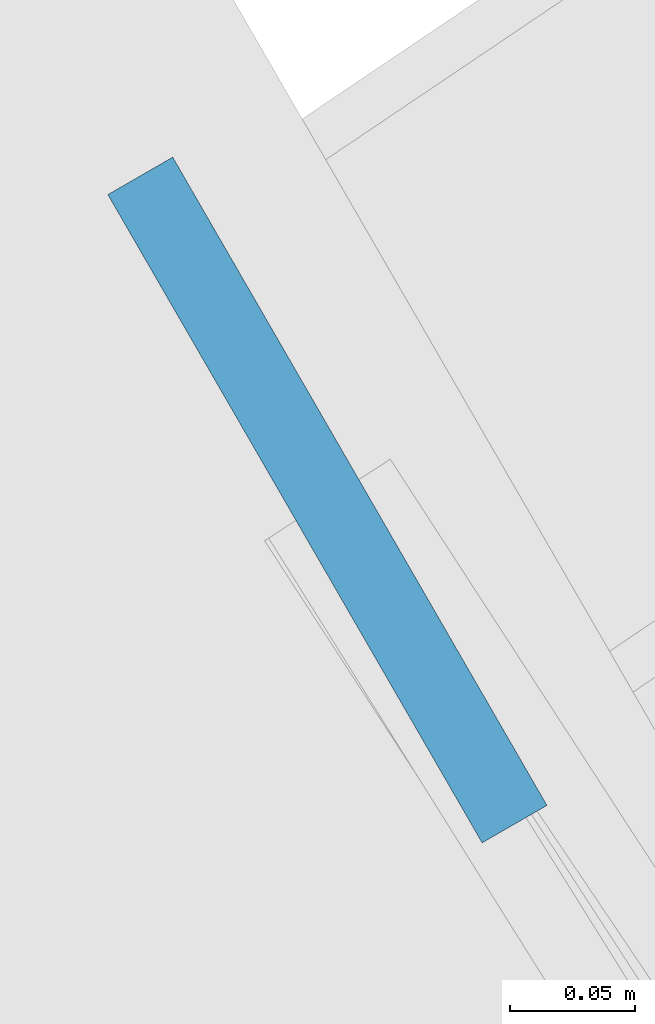
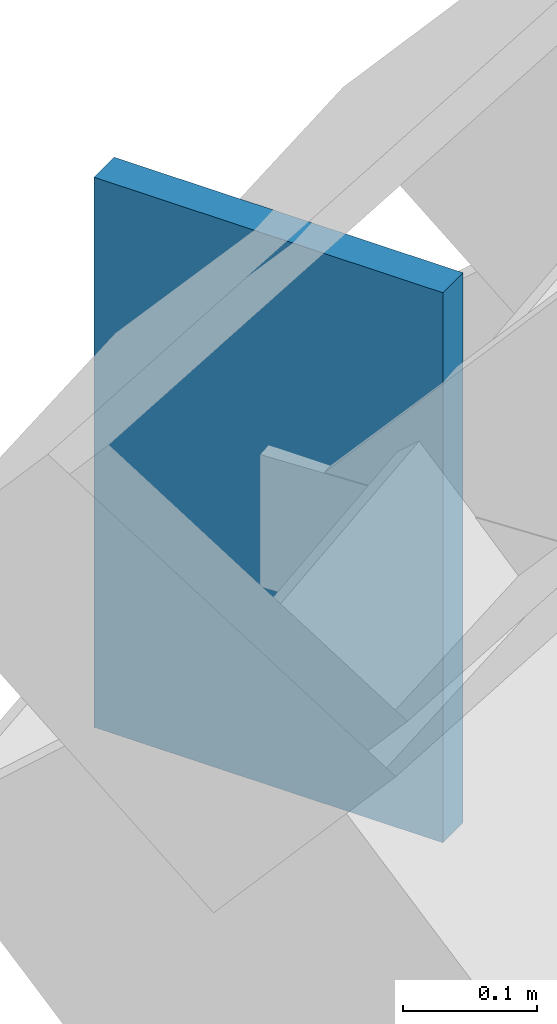
# One storey, part 36 of 37: 1 discrete accessory.
"""IFC4 building model written with IfcOpenShell, lengths in metres."""

from ifc_helpers import new_model, si_unit, direction, frame, origin, origin_2d, place, context, subcontext, project, spatial, rectangle, extrude, material, layer, layer_set, type_object, element, save


model = new_model("IFC4")

# Units and contexts
model_context = context("Model", 3, precision=1e-05, world=origin(), true_north=direction((0.0, 1.0)))
body_context = subcontext(model_context, "Body", "Model", "MODEL_VIEW")
ifc_project = project(units=[si_unit("LENGTHUNIT", "METRE"), si_unit("AREAUNIT", "SQUARE_METRE"), si_unit("VOLUMEUNIT", "CUBIC_METRE"), si_unit("PLANEANGLEUNIT", "RADIAN"), si_unit("MASSUNIT", "GRAM", prefix="KILO")], contexts=[model_context])

# Site, building, storey
site_placement = place(None, origin())
site = spatial("IfcSite", under=ifc_project, at=site_placement, CompositionType="ELEMENT")
building_placement = place(site_placement, origin())
building = spatial("IfcBuilding", under=site, at=building_placement, Name="Ostrander Bayou Hotel Tower", CompositionType="ELEMENT")
storey_placement = place(building_placement, frame((0.0, 0.0, 198.25)))
storey = spatial("IfcBuildingStorey", under=building, at=storey_placement, Name="L49", CompositionType="ELEMENT", Elevation=198.25)

# Discrete accessory
ifc_material = material(Name="Steel ASTM A572 Gr 50", Category="steel")
ifc_layer = layer(ifc_material, 0.030029296875)
ifc_layer_set = layer_set([ifc_layer], Name="GP1 gusset plate 30 mm")
discrete_accessory_type = type_object("IfcDiscreteAccessoryType", Name="GP1 gusset plate 30 mm", PredefinedType="BRACKET", material=ifc_layer_set)
discrete_accessory_placement = place(storey_placement, frame((17.85400390625, 4.64208984375, 4.77490234375), z_axis=(0.0, 0.0, 1.0), x_axis=(-0.5, 0.866025403784, 0.0)))
element("IfcDiscreteAccessory", 1, at=discrete_accessory_placement, inside=storey, type_object=discrete_accessory_type, Name="GP1 gusset plate lat 315", PredefinedType="BRACKET", context=body_context, shape_type="SweptSolid", body=[
    extrude(rectangle(XDim=0.300048828125, YDim=0.030029296875, at=origin_2d()), origin(), (0.0, 0.0, 1.0), 0.5),
])

save(model, "model.ifc")
